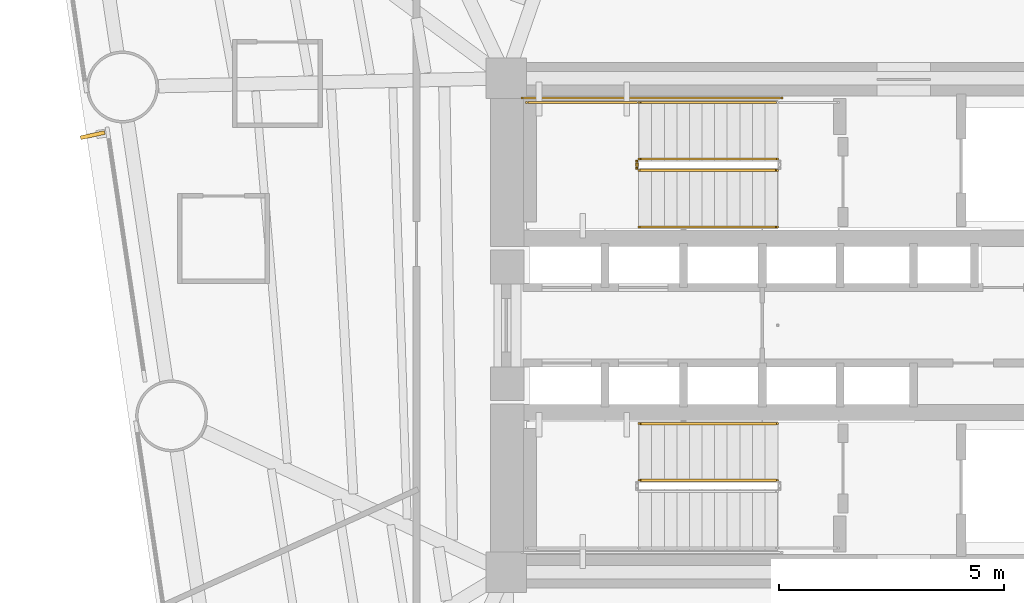
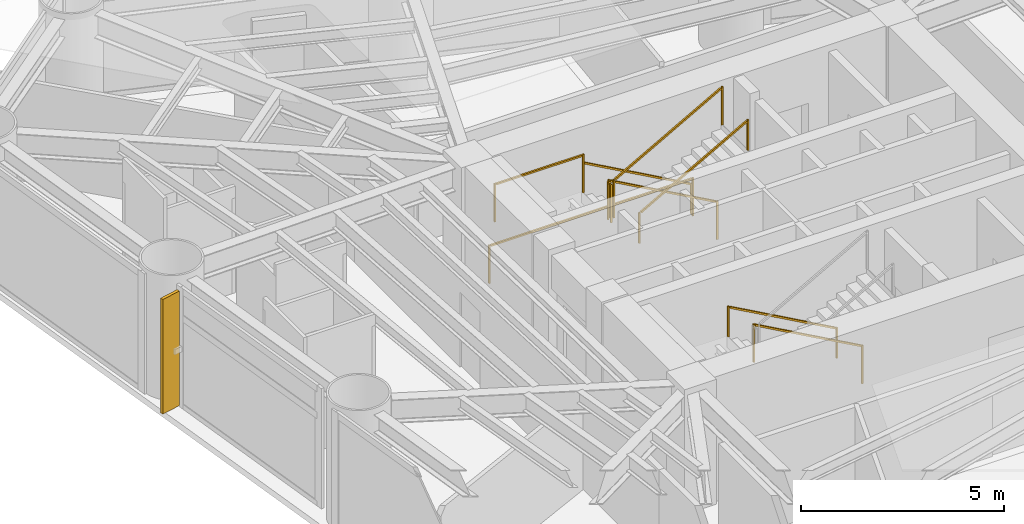
# One storey, part 9 of 11: 9 railings, 1 shading device.
"""IFC4 building model written with IfcOpenShell, lengths in metres."""

from ifc_helpers import new_model, si_unit, direction, frame, origin, origin_2d, place, context, subcontext, project, spatial, rectangle, extrude, source, transform, mapped, material, material_profile, profile_set, type_object, element, save


model = new_model("IFC4")

# Units and contexts
model_context = context("Model", 3, precision=1e-05, world=origin(), true_north=direction((0.0, 1.0)))
body_context = subcontext(model_context, "Body", "Model", "MODEL_VIEW")
ifc_project = project(units=[si_unit("LENGTHUNIT", "METRE"), si_unit("AREAUNIT", "SQUARE_METRE"), si_unit("VOLUMEUNIT", "CUBIC_METRE"), si_unit("PLANEANGLEUNIT", "RADIAN"), si_unit("MASSUNIT", "GRAM", prefix="KILO")], contexts=[model_context])

# Site, building, storey
site_placement = place(None, origin())
site = spatial("IfcSite", under=ifc_project, at=site_placement, CompositionType="ELEMENT")
building_placement = place(site_placement, origin())
building = spatial("IfcBuilding", under=site, at=building_placement, Name="Yunling Apex Tower", CompositionType="ELEMENT")
storey_placement = place(building_placement, frame((0.0, 0.0, 54.800048828125)))
storey = spatial("IfcBuildingStorey", under=building, at=storey_placement, Name="L14", CompositionType="ELEMENT", Elevation=54.800048828125)

# Railings
ifc_material_1 = material(Name="Steel Q355B", Category="steel")
railing_type_1 = type_object("IfcRailingType", Name="RL-GRD-1150", PredefinedType="GUARDRAIL", material=ifc_material_1)
railing_1_placement = place(storey_placement, frame((-0.010009765625, 3.699951171875, 0.15625)))
element("IfcRailing", 1, at=railing_1_placement, inside=storey, type_object=railing_type_1, Name="L14 ST-1 stair guard 1", PredefinedType="GUARDRAIL", context=body_context, shape_type="SweptSolid", body=[
    extrude(rectangle(XDim=0.0439453125, YDim=0.0439453125, at=origin_2d()), origin(), (0.0, 0.0, 1.0), 1.14990234375),
    extrude(rectangle(XDim=0.0439453125, YDim=0.0439453125, at=origin_2d()), frame((-3.080078125, 0.0, 1.71875)), (0.0, 0.0, 1.0), 1.14990234375),
    extrude(rectangle(XDim=0.050048828125, YDim=0.050048828125, at=origin_2d()), frame((-0.033447265625, 0.0, 1.1435546875), z_axis=(-0.873241540666, 0.0, 0.487287606713), x_axis=(0.0, -1.0, 0.0)), (0.0, 0.0, 1.0), 3.450439453125),
])
railing_2_placement = place(storey_placement, frame((-3.139892578125, 3.64990234375, 1.875)))
element("IfcRailing", 2, at=railing_2_placement, inside=storey, type_object=railing_type_1, Name="L14 ST-1 stair guard 2", PredefinedType="GUARDRAIL", context=body_context, shape_type="SweptSolid", body=[
    extrude(rectangle(XDim=0.0439453125, YDim=0.0439453125, at=origin_2d()), origin(), (0.0, 0.0, 1.0), 1.14990234375),
    extrude(rectangle(XDim=0.0439453125, YDim=0.0439453125, at=origin_2d()), frame((0.0, -0.14990234375, 0.0)), (0.0, 0.0, 1.0), 1.14990234375),
    extrude(rectangle(XDim=0.050048828125, YDim=0.050048828125, at=origin_2d()), frame((0.0, -0.038330078125, 1.125), z_axis=(0.0, -1.0, 0.0), x_axis=(1.0, 0.0, 0.0)), (0.0, 0.0, 1.0), 0.0732421875),
])
railing_3_placement = place(storey_placement, frame((-3.090087890625, 4.9599609375, 1.875)))
element("IfcRailing", 3, at=railing_3_placement, inside=storey, type_object=railing_type_1, Name="L14 ST-1 stair guard 3", PredefinedType="GUARDRAIL", context=body_context, shape_type="SweptSolid", body=[
    extrude(rectangle(XDim=0.0439453125, YDim=0.0439453125, at=origin_2d()), origin(), (0.0, 0.0, 1.0), 1.14990234375),
    extrude(rectangle(XDim=0.0439453125, YDim=0.0439453125, at=origin_2d()), frame((-2.510009765625, 0.0, 0.0)), (0.0, 0.0, 1.0), 1.14990234375),
    extrude(rectangle(XDim=0.050048828125, YDim=0.050048828125, at=origin_2d()), frame((-0.038330078125, 0.0, 1.125), z_axis=(-1.0, 0.0, 0.0), x_axis=(0.0, -1.0, 0.0)), (0.0, 0.0, 1.0), 2.433349609375),
])
railing_4_placement = place(storey_placement, frame((-3.090087890625, 3.449951171875, 2.03125)))
element("IfcRailing", 4, at=railing_4_placement, inside=storey, type_object=railing_type_1, Name="L14 ST-1 stair guard 4", PredefinedType="GUARDRAIL", context=body_context, shape_type="SweptSolid", body=[
    extrude(rectangle(XDim=0.0439453125, YDim=0.0439453125, at=origin_2d()), origin(), (0.0, 0.0, 1.0), 1.14990234375),
    extrude(rectangle(XDim=0.0439453125, YDim=0.0439453125, at=origin_2d()), frame((3.080078125, 0.0, 1.71875)), (0.0, 0.0, 1.0), 1.14990234375),
    extrude(rectangle(XDim=0.050048828125, YDim=0.050048828125, at=origin_2d()), frame((0.033447265625, 0.0, 1.1435546875), z_axis=(0.873241540666, 0.0, 0.487287606713), x_axis=(0.0, 1.0, 0.0)), (0.0, 0.0, 1.0), 3.450439453125),
])
railing_5_placement = place(storey_placement, frame((0.090087890625, 5.06005859375, 0.0)))
element("IfcRailing", 5, at=railing_5_placement, inside=storey, type_object=railing_type_1, Name="L14 ST-1 stair guard 7", PredefinedType="GUARDRAIL", context=body_context, shape_type="SweptSolid", body=[
    extrude(rectangle(XDim=0.0439453125, YDim=0.0439453125, at=origin_2d()), origin(), (0.0, 0.0, 1.0), 1.14990234375),
    extrude(rectangle(XDim=0.0439453125, YDim=0.0439453125, at=origin_2d()), frame((-5.7900390625, 0.0, 0.0)), (0.0, 0.0, 1.0), 1.14990234375),
    extrude(rectangle(XDim=0.050048828125, YDim=0.050048828125, at=origin_2d()), frame((-0.038330078125, 0.0, 1.125), z_axis=(-1.0, 0.0, 0.0), x_axis=(0.0, -1.0, 0.0)), (0.0, 0.0, 1.0), 5.71337890625),
])
railing_6_placement = place(storey_placement, frame((-0.010009765625, -3.449951171875, 0.15625)))
element("IfcRailing", 6, at=railing_6_placement, inside=storey, type_object=railing_type_1, Name="L14 ST-2 stair guard 1", PredefinedType="GUARDRAIL", context=body_context, shape_type="SweptSolid", body=[
    extrude(rectangle(XDim=0.0439453125, YDim=0.0439453125, at=origin_2d()), origin(), (0.0, 0.0, 1.0), 1.14990234375),
    extrude(rectangle(XDim=0.0439453125, YDim=0.0439453125, at=origin_2d()), frame((-3.080078125, 0.0, 1.71875)), (0.0, 0.0, 1.0), 1.14990234375),
    extrude(rectangle(XDim=0.050048828125, YDim=0.050048828125, at=origin_2d()), frame((-0.033447265625, 0.0, 1.1435546875), z_axis=(-0.873241540666, 0.0, 0.487287606713), x_axis=(0.0, -1.0, 0.0)), (0.0, 0.0, 1.0), 3.450439453125),
])
ifc_material_2 = material(Name="Silver anodised aluminium", Category="aluminium")
railing_type_2 = type_object("IfcRailingType", Name="RL-HND-900", PredefinedType="HANDRAIL", material=ifc_material_2)
railing_7_placement = place(storey_placement, frame((-0.010009765625, 4.9599609375, 0.15625)))
element("IfcRailing", 7, at=railing_7_placement, inside=storey, type_object=railing_type_2, Name="L14 ST-1 stair handrail 1", PredefinedType="HANDRAIL", context=body_context, shape_type="SweptSolid", body=[
    extrude(rectangle(XDim=0.0439453125, YDim=0.0439453125, at=origin_2d()), origin(), (0.0, 0.0, 1.0), 0.919921875),
    extrude(rectangle(XDim=0.0439453125, YDim=0.0439453125, at=origin_2d()), frame((-3.080078125, 0.0, 1.71875)), (0.0, 0.0, 1.0), 0.919921875),
    extrude(rectangle(XDim=0.050048828125, YDim=0.050048828125, at=origin_2d()), frame((-0.033447265625, 0.0, 0.91357421875), z_axis=(-0.873241540666, 0.0, 0.487287606713), x_axis=(0.0, -1.0, 0.0)), (0.0, 0.0, 1.0), 3.450439453125),
])
railing_8_placement = place(storey_placement, frame((-3.090087890625, 2.18994140625, 2.03125)))
element("IfcRailing", 8, at=railing_8_placement, inside=storey, type_object=railing_type_2, Name="L14 ST-1 stair handrail 2", PredefinedType="HANDRAIL", context=body_context, shape_type="SweptSolid", body=[
    extrude(rectangle(XDim=0.0439453125, YDim=0.0439453125, at=origin_2d()), origin(), (0.0, 0.0, 1.0), 0.919921875),
    extrude(rectangle(XDim=0.0439453125, YDim=0.0439453125, at=origin_2d()), frame((3.080078125, 0.0, 1.71875)), (0.0, 0.0, 1.0), 0.919921875),
    extrude(rectangle(XDim=0.050048828125, YDim=0.050048828125, at=origin_2d()), frame((0.033447265625, 0.0, 0.91357421875), z_axis=(0.873241540666, 0.0, 0.487287606713), x_axis=(0.0, 1.0, 0.0)), (0.0, 0.0, 1.0), 3.450439453125),
])
railing_9_placement = place(storey_placement, frame((-0.010009765625, -2.18994140625, 0.15625)))
element("IfcRailing", 9, at=railing_9_placement, inside=storey, type_object=railing_type_2, Name="L14 ST-2 stair handrail 1", PredefinedType="HANDRAIL", context=body_context, shape_type="SweptSolid", body=[
    extrude(rectangle(XDim=0.0439453125, YDim=0.0439453125, at=origin_2d()), origin(), (0.0, 0.0, 1.0), 0.919921875),
    extrude(rectangle(XDim=0.0439453125, YDim=0.0439453125, at=origin_2d()), frame((-3.080078125, 0.0, 1.71875)), (0.0, 0.0, 1.0), 0.919921875),
    extrude(rectangle(XDim=0.050048828125, YDim=0.050048828125, at=origin_2d()), frame((-0.033447265625, 0.0, 0.91357421875), z_axis=(-0.873241540666, 0.0, 0.487287606713), x_axis=(0.0, -1.0, 0.0)), (0.0, 0.0, 1.0), 3.450439453125),
])

# Shading device
ifc_material_3 = material(Name="Bronze anodised aluminium", Category="aluminium")
ifc_material_profile = material_profile(ifc_material_3, rectangle(XDim=0.0849609375, YDim=0.550048828125, at=origin_2d()))
ifc_profile_set = profile_set([ifc_material_profile], Name="Bronze anodised aluminium")
shading_device_type = type_object("IfcShadingDeviceType", Name="FN-BRZ-3", PredefinedType="USERDEFINED", material=ifc_profile_set)
shared_shape = source(origin(), body_context, "Body", "SweptSolid", [
    extrude(rectangle(XDim=0.0849609375, YDim=0.550048828125, at=origin_2d()), origin(), (0.0, 0.0, 1.0), 3.445068359375),
])
shading_device_placement = place(storey_placement, frame((-15.25830078125, 4.233642578125, 0.06005859375), z_axis=(0.0, 0.0, 1.0), x_axis=(0.212177672156, -0.977231106463, 0.0)))
element("IfcShadingDevice", 10, at=shading_device_placement, inside=storey, type_object=shading_device_type, Name="CW-L14-F3-B2-FIN-01", ObjectType="FIN", PredefinedType="USERDEFINED", context=body_context, shape_type="MappedRepresentation", body=[
    mapped(shared_shape, transform((0.0, 0.0, 0.0), scale=1.0)),
])

save(model, "model.ifc")
